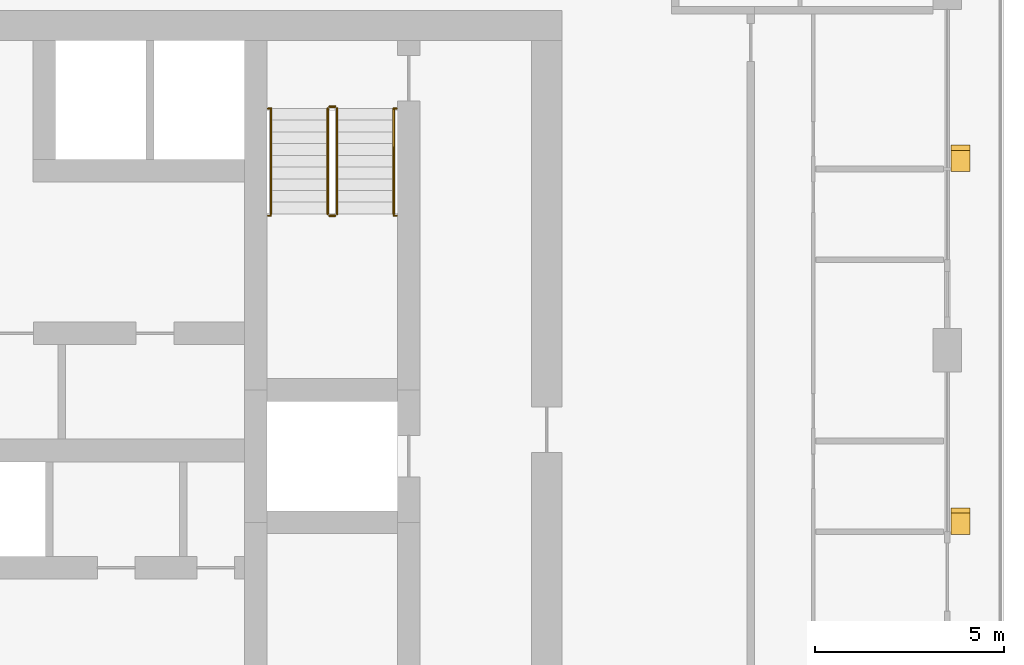
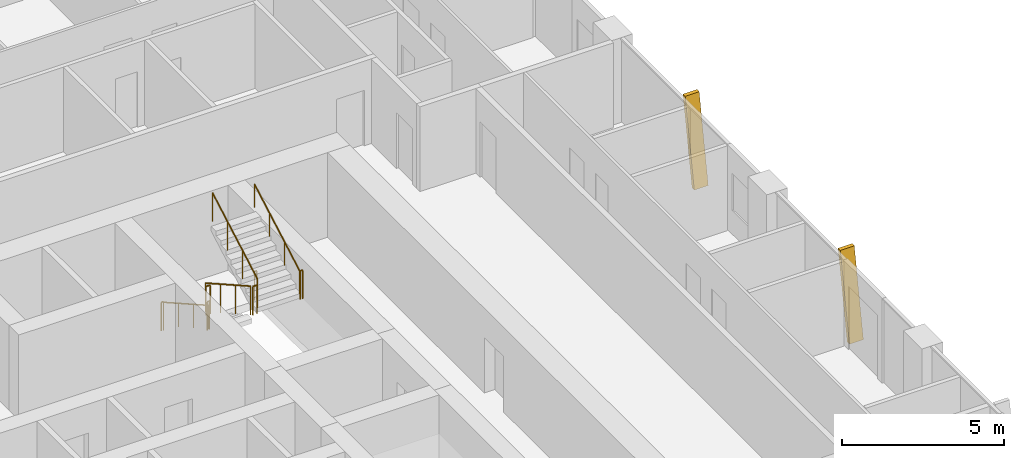
# One storey, part 21 of 22: 10 railings, 2 shading devices.
"""IFC4 building model written with IfcOpenShell, lengths in metres."""

from ifc_helpers import new_model, si_unit, direction, frame, origin, origin_2d, place, context, subcontext, project, spatial, polyline, circle, outline, extrude, material, type_object, element, save


model = new_model("IFC4")

# Units and contexts
model_context = context("Model", 3, precision=1e-05, world=origin(), true_north=direction((0.0, 1.0)))
body_context = subcontext(model_context, "Body", "Model", "MODEL_VIEW")
ifc_project = project(units=[si_unit("LENGTHUNIT", "METRE"), si_unit("AREAUNIT", "SQUARE_METRE"), si_unit("VOLUMEUNIT", "CUBIC_METRE"), si_unit("PLANEANGLEUNIT", "RADIAN"), si_unit("MASSUNIT", "GRAM", prefix="KILO")], contexts=[model_context])

# Site, building, storey
site_placement = place(None, origin())
site = spatial("IfcSite", under=ifc_project, at=site_placement, CompositionType="ELEMENT")
building_placement = place(site_placement, origin())
building = spatial("IfcBuilding", under=site, at=building_placement, Name="Madar Terraces", CompositionType="ELEMENT")
storey_placement = place(building_placement, frame((0.0, 0.0, 136.60009765625)))
storey = spatial("IfcBuildingStorey", under=building, at=storey_placement, Name="L35", CompositionType="ELEMENT", Elevation=136.60009765625)

# Shading devices
ifc_material_1 = material(Name="Aluminium, black anodised", Category="aluminium")
shading_device_type = type_object("IfcShadingDeviceType", Name="Facade fin blade 140 x 500", PredefinedType="USERDEFINED", material=ifc_material_1)
shading_device_1_placement = place(storey_placement, frame((57.949951171875, 23.929931640625, 0.0), z_axis=(0.0, 0.0, 1.0), x_axis=(0.0, 1.0, 0.0)))
element("IfcShadingDevice", 1, at=shading_device_1_placement, inside=storey, type_object=shading_device_type, Name="FIN L35 E2", ObjectType="FIN", PredefinedType="USERDEFINED", context=body_context, shape_type="SweptSolid", body=[
    extrude(outline(polyline([(0.0, 0.0), (0.14013671875, 0.0), (0.704345703125, 3.199951171875), (0.564208984375, 3.199951171875), (0.0, 0.0)])), frame((0.0, 0.25, 0.0), z_axis=(0.0, -1.0, 0.0), x_axis=(1.0, 0.0, 0.0)), (0.0, 0.0, 1.0), 0.5),
])
shading_device_2_placement = place(storey_placement, frame((57.949951171875, 33.530029296875, 0.0), z_axis=(0.0, 0.0, 1.0), x_axis=(0.0, 1.0, 0.0)))
element("IfcShadingDevice", 2, at=shading_device_2_placement, inside=storey, type_object=shading_device_type, Name="FIN L35 E3", ObjectType="FIN", PredefinedType="USERDEFINED", context=body_context, shape_type="SweptSolid", body=[
    extrude(outline(polyline([(0.0, 0.0), (0.139892578125, 0.0), (0.704345703125, 3.199951171875), (0.564208984375, 3.199951171875), (0.0, 0.0)])), frame((0.0, 0.25, 0.0), z_axis=(0.0, -1.0, 0.0), x_axis=(1.0, 0.0, 0.0)), (0.0, 0.0, 1.0), 0.5),
])

# Railings
ifc_material_2 = material(Name="Stainless steel railing", Category="steel")
railing_type_1 = type_object("IfcRailingType", Name="Stair guard 1100", PredefinedType="GUARDRAIL", material=ifc_material_2)
railing_1_placement = place(storey_placement, frame((41.199951171875, 35.199951171875, 0.1748046875)))
element("IfcRailing", 3, at=railing_1_placement, inside=storey, type_object=railing_type_1, Name="L35 ST2 stair guard 1", PredefinedType="GUARDRAIL", context=body_context, shape_type="SweptSolid", body=[
    extrude(circle(Radius=0.02392578125, at=origin_2d()), frame((0.0, 0.0, 1.076171875), z_axis=(0.0, -0.870801158333, 0.491635375706), x_axis=(1.0, 0.0, 0.0)), (0.0, 0.0, 1.0), 3.2041015625),
    extrude(circle(Radius=0.02099609375, at=origin_2d()), origin(), (0.0, 0.0, 1.0), 1.052001953125),
    extrude(circle(Radius=0.02099609375, at=origin_2d()), frame((0.0, -0.929931640625, 0.525146484375)), (0.0, 0.0, 1.0), 1.052001953125),
    extrude(circle(Radius=0.02099609375, at=origin_2d()), frame((0.0, -1.860107421875, 1.050048828125)), (0.0, 0.0, 1.0), 1.052001953125),
    extrude(circle(Radius=0.02099609375, at=origin_2d()), frame((0.0, -2.7900390625, 1.5751953125)), (0.0, 0.0, 1.0), 1.052001953125),
])
railing_2_placement = place(storey_placement, frame((41.25, 32.360107421875, 1.75)))
element("IfcRailing", 4, at=railing_2_placement, inside=storey, type_object=railing_type_1, Name="L35 ST2 stair guard 2", PredefinedType="GUARDRAIL", context=body_context, shape_type="SweptSolid", body=[
    extrude(circle(Radius=0.02392578125, at=origin_2d()), frame((0.0, 0.0, 1.076171875), z_axis=(1.0, 0.0, 0.0), x_axis=(0.0, 1.0, 0.0)), (0.0, 0.0, 1.0), 0.14990234375),
    extrude(circle(Radius=0.02099609375, at=origin_2d()), origin(), (0.0, 0.0, 1.0), 1.052001953125),
    extrude(circle(Radius=0.02099609375, at=origin_2d()), frame((0.14990234375, 0.0, 0.0)), (0.0, 0.0, 1.0), 1.052001953125),
])
railing_3_placement = place(storey_placement, frame((41.449951171875, 32.409912109375, 1.9248046875)))
element("IfcRailing", 5, at=railing_3_placement, inside=storey, type_object=railing_type_1, Name="L35 ST2 stair guard 3", PredefinedType="GUARDRAIL", context=body_context, shape_type="SweptSolid", body=[
    extrude(circle(Radius=0.02392578125, at=origin_2d()), frame((0.0, 0.0, 1.076171875), z_axis=(0.0, 0.870801158333, 0.491635375706), x_axis=(-1.0, 0.0, 0.0)), (0.0, 0.0, 1.0), 3.2041015625),
    extrude(circle(Radius=0.02099609375, at=origin_2d()), origin(), (0.0, 0.0, 1.0), 1.052001953125),
    extrude(circle(Radius=0.02099609375, at=origin_2d()), frame((0.0, 0.929931640625, 0.525146484375)), (0.0, 0.0, 1.0), 1.052001953125),
    extrude(circle(Radius=0.02099609375, at=origin_2d()), frame((0.0, 1.860107421875, 1.050048828125)), (0.0, 0.0, 1.0), 1.052001953125),
    extrude(circle(Radius=0.02099609375, at=origin_2d()), frame((0.0, 2.7900390625, 1.5751953125)), (0.0, 0.0, 1.0), 1.052001953125),
])
railing_4_placement = place(storey_placement, frame((41.25, 35.25, 0.0)))
element("IfcRailing", 6, at=railing_4_placement, inside=storey, type_object=railing_type_1, Name="L35 ST2 stair guard 4", PredefinedType="GUARDRAIL", context=body_context, shape_type="SweptSolid", body=[
    extrude(circle(Radius=0.02392578125, at=origin_2d()), frame((0.0, 0.0, 1.076171875), z_axis=(1.0, 0.0, 0.0), x_axis=(0.0, 1.0, 0.0)), (0.0, 0.0, 1.0), 0.14990234375),
    extrude(circle(Radius=0.02099609375, at=origin_2d()), origin(), (0.0, 0.0, 1.0), 1.052001953125),
    extrude(circle(Radius=0.02099609375, at=origin_2d()), frame((0.14990234375, 0.0, 0.0)), (0.0, 0.0, 1.0), 1.052001953125),
])
railing_5_placement = place(storey_placement, frame((39.6201171875, 32.360107421875, 1.75)))
element("IfcRailing", 7, at=railing_5_placement, inside=storey, type_object=railing_type_1, Name="L35 stair guard seat 1", PredefinedType="GUARDRAIL", context=body_context, shape_type="SweptSolid", body=[
    extrude(circle(Radius=0.02392578125, at=origin_2d()), frame((0.0, 0.0, 1.076171875), z_axis=(1.0, 0.0, 0.0), x_axis=(0.0, 1.0, 0.0)), (0.0, 0.0, 1.0), 0.079833984375),
    extrude(circle(Radius=0.02099609375, at=origin_2d()), origin(), (0.0, 0.0, 1.0), 1.052001953125),
    extrude(circle(Radius=0.02099609375, at=origin_2d()), frame((0.079833984375, 0.0, 0.0)), (0.0, 0.0, 1.0), 1.052001953125),
])
railing_6_placement = place(storey_placement, frame((42.949951171875, 32.360107421875, 1.75)))
element("IfcRailing", 8, at=railing_6_placement, inside=storey, type_object=railing_type_1, Name="L35 stair guard seat 2", PredefinedType="GUARDRAIL", context=body_context, shape_type="SweptSolid", body=[
    extrude(circle(Radius=0.02392578125, at=origin_2d()), frame((0.0, 0.0, 1.076171875), z_axis=(1.0, 0.0, 0.0), x_axis=(0.0, 1.0, 0.0)), (0.0, 0.0, 1.0), 0.080078125),
    extrude(circle(Radius=0.02099609375, at=origin_2d()), origin(), (0.0, 0.0, 1.0), 1.052001953125),
    extrude(circle(Radius=0.02099609375, at=origin_2d()), frame((0.080078125, 0.0, 0.0)), (0.0, 0.0, 1.0), 1.052001953125),
])
railing_7_placement = place(storey_placement, frame((39.6201171875, 35.199951171875, 0.0)))
element("IfcRailing", 9, at=railing_7_placement, inside=storey, type_object=railing_type_1, Name="L35 stair guard floor 1", PredefinedType="GUARDRAIL", context=body_context, shape_type="SweptSolid", body=[
    extrude(circle(Radius=0.02392578125, at=origin_2d()), frame((0.0, 0.0, 1.076171875), z_axis=(1.0, 0.0, 0.0), x_axis=(0.0, 1.0, 0.0)), (0.0, 0.0, 1.0), 0.079833984375),
    extrude(circle(Radius=0.02099609375, at=origin_2d()), origin(), (0.0, 0.0, 1.0), 1.052001953125),
    extrude(circle(Radius=0.02099609375, at=origin_2d()), frame((0.079833984375, 0.0, 0.0)), (0.0, 0.0, 1.0), 1.052001953125),
])
railing_8_placement = place(storey_placement, frame((42.949951171875, 35.199951171875, 0.0)))
element("IfcRailing", 10, at=railing_8_placement, inside=storey, type_object=railing_type_1, Name="L35 stair guard floor 2", PredefinedType="GUARDRAIL", context=body_context, shape_type="SweptSolid", body=[
    extrude(circle(Radius=0.02392578125, at=origin_2d()), frame((0.0, 0.0, 1.076171875), z_axis=(1.0, 0.0, 0.0), x_axis=(0.0, 1.0, 0.0)), (0.0, 0.0, 1.0), 0.080078125),
    extrude(circle(Radius=0.02099609375, at=origin_2d()), origin(), (0.0, 0.0, 1.0), 1.052001953125),
    extrude(circle(Radius=0.02099609375, at=origin_2d()), frame((0.080078125, 0.0, 0.0)), (0.0, 0.0, 1.0), 1.052001953125),
])
ifc_material_3 = material(Name="Stainless steel railing", Category="steel")
railing_type_2 = type_object("IfcRailingType", Name="Stair handrail 900", PredefinedType="HANDRAIL", material=ifc_material_3)
railing_9_placement = place(storey_placement, frame((39.699951171875, 35.199951171875, 0.1748046875)))
element("IfcRailing", 11, at=railing_9_placement, inside=storey, type_object=railing_type_2, Name="L35 ST2 stair handrail 1", PredefinedType="HANDRAIL", context=body_context, shape_type="SweptSolid", body=[
    extrude(circle(Radius=0.02392578125, at=origin_2d()), frame((0.0, 0.0, 0.8759765625), z_axis=(0.0, -0.870801158333, 0.491635375706), x_axis=(1.0, 0.0, 0.0)), (0.0, 0.0, 1.0), 3.2041015625),
    extrude(circle(Radius=0.02099609375, at=origin_2d()), origin(), (0.0, 0.0, 1.0), 0.851806640625),
    extrude(circle(Radius=0.02099609375, at=origin_2d()), frame((0.0, -0.929931640625, 0.525146484375)), (0.0, 0.0, 1.0), 0.851806640625),
    extrude(circle(Radius=0.02099609375, at=origin_2d()), frame((0.0, -1.860107421875, 1.050048828125)), (0.0, 0.0, 1.0), 0.851806640625),
    extrude(circle(Radius=0.02099609375, at=origin_2d()), frame((0.0, -2.7900390625, 1.5751953125)), (0.0, 0.0, 1.0), 0.851806640625),
])
railing_10_placement = place(storey_placement, frame((42.949951171875, 32.409912109375, 1.9248046875)))
element("IfcRailing", 12, at=railing_10_placement, inside=storey, type_object=railing_type_2, Name="L35 ST2 stair handrail 2", PredefinedType="HANDRAIL", context=body_context, shape_type="SweptSolid", body=[
    extrude(circle(Radius=0.02392578125, at=origin_2d()), frame((0.0, 0.0, 0.8759765625), z_axis=(0.0, 0.870801158333, 0.491635375706), x_axis=(-1.0, 0.0, 0.0)), (0.0, 0.0, 1.0), 3.2041015625),
    extrude(circle(Radius=0.02099609375, at=origin_2d()), origin(), (0.0, 0.0, 1.0), 0.851806640625),
    extrude(circle(Radius=0.02099609375, at=origin_2d()), frame((0.0, 0.929931640625, 0.525146484375)), (0.0, 0.0, 1.0), 0.851806640625),
    extrude(circle(Radius=0.02099609375, at=origin_2d()), frame((0.0, 1.860107421875, 1.050048828125)), (0.0, 0.0, 1.0), 0.851806640625),
    extrude(circle(Radius=0.02099609375, at=origin_2d()), frame((0.0, 2.7900390625, 1.5751953125)), (0.0, 0.0, 1.0), 0.851806640625),
])

save(model, "model.ifc")
